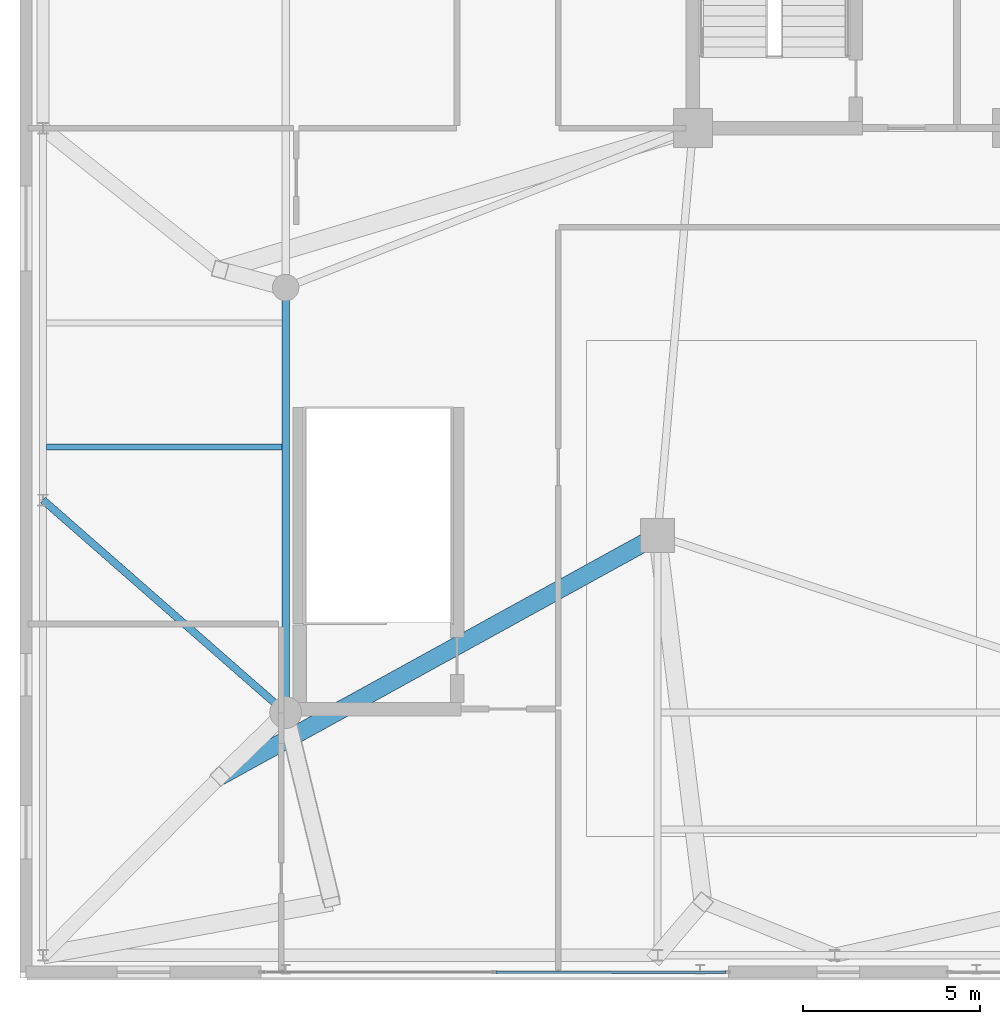
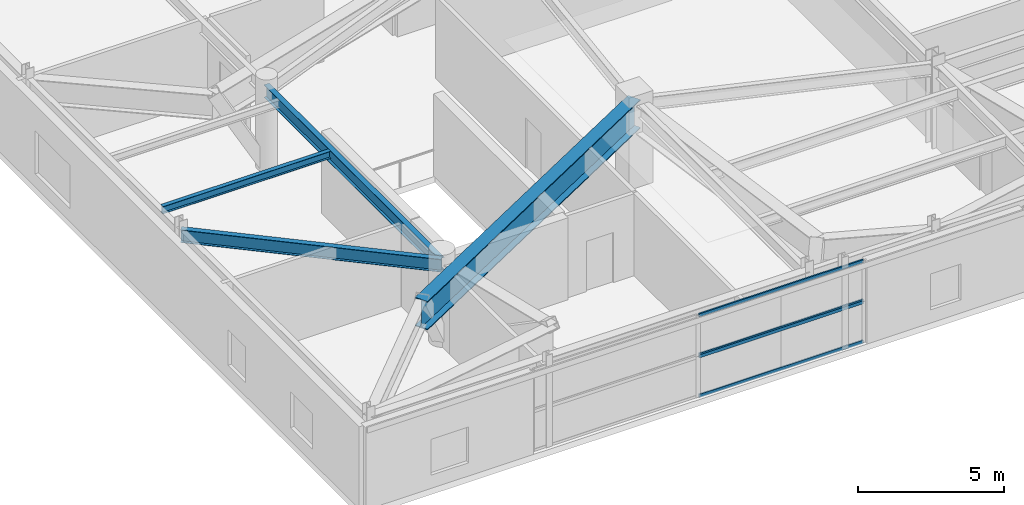
# One storey, part 8 of 27: 4 beams, 4 members, 2 elements without a shape of their own.
"""IFC4 building model written with IfcOpenShell, lengths in metres."""

import ifcopenshell
import ifcopenshell.guid

model = None  # the IFC model being written
_history = None  # IfcOwnerHistory: only IFC2X3 demands one
_inside = {}  # id of a spatial element -> (the spatial element, [elements in it])
_under = {}  # id of a project, library or spatial element -> (it, [spatial elements below it])
_declared = {}  # id of a project -> (the project, [libraries it declares])
_typed = {}  # id of a type object -> (the type object, [elements of that type])
_made_of = {}  # id of a material, layer set ... -> (it, [elements and type objects made of it])


def new_model(schema):
    """Start an empty IFC model of exactly this schema.

    Asked for "IFC4X3", IfcOpenShell would pick the latest addendum, in which some entities
    have other attributes; the version numbers below select the first issue.
    IFC2X3 requires an IfcOwnerHistory on every rooted entity: one is made here for all.
    """
    global model, _history
    if schema == "IFC4X3":
        model = ifcopenshell.file(schema_version=(4, 3, 0, 0))
    else:
        model = ifcopenshell.file(schema=schema)
    _inside.clear()
    _under.clear()
    _declared.clear()
    _typed.clear()
    _made_of.clear()
    _history = None
    if model.schema == "IFC2X3":
        org = make("IfcOrganization", Name="unknown")
        user = make(
            "IfcPersonAndOrganization",
            ThePerson=make("IfcPerson", FamilyName="unknown"),
            TheOrganization=org,
        )
        app = make(
            "IfcApplication",
            ApplicationDeveloper=org,
            Version="unknown",
            ApplicationFullName="unknown",
            ApplicationIdentifier="unknown",
        )
        _history = make(
            "IfcOwnerHistory",
            OwningUser=user,
            OwningApplication=app,
            ChangeAction="ADDED",
            CreationDate=0,
        )
    return model


def make(cls, **values):
    """One entity of the class cls with the attributes given. An attribute that is None is left unset."""
    return model.create_entity(
        cls, **{name: value for name, value in values.items() if value is not None}
    )


def rooted(cls, **values):
    """An entity with a GlobalId (a new one), such as an element, a storey or a relation."""
    return make(cls, GlobalId=ifcopenshell.guid.new(), OwnerHistory=_history, **values)


def si_unit(unit_type, name, prefix=None):
    """IfcSIUnit, for example si_unit("LENGTHUNIT", "METRE", prefix="MILLI")."""
    return make("IfcSIUnit", UnitType=unit_type, Prefix=prefix, Name=name)


def assignment(units):
    """IfcUnitAssignment: the units of a project."""
    return None if units is None else make("IfcUnitAssignment", Units=units)


def point(xyz):
    """IfcCartesianPoint."""
    return None if xyz is None else make("IfcCartesianPoint", Coordinates=xyz)


def direction(xyz):
    """IfcDirection."""
    return None if xyz is None else make("IfcDirection", DirectionRatios=xyz)


def frame(location, z_axis=None, x_axis=None):
    """IfcAxis2Placement3D, a coordinate frame: its origin and axes. An axis left out is left unset."""
    return make(
        "IfcAxis2Placement3D",
        Location=point(location),
        Axis=direction(z_axis),
        RefDirection=direction(x_axis),
    )


def frame_2d(location, x_axis=None):
    """IfcAxis2Placement2D, a coordinate frame in the plane: its origin and x axis."""
    return make(
        "IfcAxis2Placement2D", Location=point(location), RefDirection=direction(x_axis)
    )


def origin():
    """The frame at (0, 0, 0) with its axes left unset."""
    return frame((0.0, 0.0, 0.0))


def origin_2d():
    """The frame at (0, 0) in the plane with its x axis left unset."""
    return frame_2d((0.0, 0.0))


def place(relative_to, where):
    """IfcLocalPlacement: puts the frame where relative to a parent placement (None: the world)."""
    return make(
        "IfcLocalPlacement", PlacementRelTo=relative_to, RelativePlacement=where
    )


def context(
    kind, dimensions, precision=None, world=None, true_north=None, identifier=None
):
    """IfcGeometricRepresentationContext, for example the 3D "Model" context."""
    return make(
        "IfcGeometricRepresentationContext",
        ContextIdentifier=identifier,
        ContextType=kind,
        CoordinateSpaceDimension=dimensions,
        Precision=precision,
        WorldCoordinateSystem=world,
        TrueNorth=true_north,
    )


def subcontext(parent, identifier, kind, view, scale=None):
    """IfcGeometricRepresentationSubContext, for example "Body" below "Model"."""
    return make(
        "IfcGeometricRepresentationSubContext",
        ContextIdentifier=identifier,
        ContextType=kind,
        ParentContext=parent,
        TargetScale=scale,
        TargetView=view,
    )


def project(units=None, contexts=None):
    """IfcProject with its units and contexts."""
    return rooted(
        "IfcProject",
        Name="project",
        RepresentationContexts=contexts,
        UnitsInContext=assignment(units),
    )


def spatial(cls, under=None, at=None, **own):
    """A site, building, storey or space (cls), placed at a placement, below another one or the project."""
    s = rooted(cls, ObjectPlacement=at, **own)
    if under is not None:
        _under.setdefault(under.id(), (under, []))[1].append(s)
    return s


def profile(cls, at=None, kind="AREA", **sizes):
    """A parametric profile (cls). Its sizes go by their IFC names, for example OverallWidth=200.0."""
    return make(cls, ProfileType=kind, Position=at, **sizes)


def hollow_rectangle(**sizes):
    """IfcRectangleHollowProfileDef."""
    return profile("IfcRectangleHollowProfileDef", **sizes)


def i_section(**sizes):
    """IfcIShapeProfileDef."""
    return profile("IfcIShapeProfileDef", **sizes)


def extrude(swept, where, along, depth):
    """IfcExtrudedAreaSolid: the profile swept, set in the frame where, extruded along a direction by depth."""
    return make(
        "IfcExtrudedAreaSolid",
        SweptArea=swept,
        Position=where,
        ExtrudedDirection=direction(along),
        Depth=depth,
    )


def shape(context_of_items, identifier, shape_type, items):
    """IfcShapeRepresentation: the items that make up one representation, for example the "Body"."""
    return make(
        "IfcShapeRepresentation",
        ContextOfItems=context_of_items,
        RepresentationIdentifier=identifier,
        RepresentationType=shape_type,
        Items=items,
    )


def source(mapping_origin, context_of_items, identifier, shape_type, items):
    """IfcRepresentationMap: a shape defined once, which mapped items show again and again."""
    return make(
        "IfcRepresentationMap",
        MappingOrigin=mapping_origin,
        MappedRepresentation=shape(context_of_items, identifier, shape_type, items),
    )


def transform(
    local_origin,
    x_axis=None,
    y_axis=None,
    z_axis=None,
    scale=None,
    scale2=None,
    scale3=None,
    uniform=True,
):
    """IfcCartesianTransformationOperator3D, or its non-uniform kind. x_axis, y_axis, z_axis: its Axis1, 2, 3."""
    if uniform:
        return make(
            "IfcCartesianTransformationOperator3D",
            Axis1=direction(x_axis),
            Axis2=direction(y_axis),
            LocalOrigin=point(local_origin),
            Scale=scale,
            Axis3=direction(z_axis),
        )
    return make(
        "IfcCartesianTransformationOperator3DnonUniform",
        Axis1=direction(x_axis),
        Axis2=direction(y_axis),
        LocalOrigin=point(local_origin),
        Scale=scale,
        Axis3=direction(z_axis),
        Scale2=scale2,
        Scale3=scale3,
    )


def mapped(mapping_source, mapping_target):
    """IfcMappedItem: shows the shape of a source again, moved by a transform."""
    return make(
        "IfcMappedItem", MappingSource=mapping_source, MappingTarget=mapping_target
    )


def material(Name=None, Category=None):
    """IfcMaterial."""
    return make("IfcMaterial", Name=Name, Category=Category)


def layer(
    of_material, thickness, ventilated=None, Name=None, Category=None, Priority=None
):
    """IfcMaterialLayer: one layer of a wall or slab, of a material (None: an air gap)."""
    return make(
        "IfcMaterialLayer",
        Material=of_material,
        LayerThickness=thickness,
        IsVentilated=ventilated,
        Name=Name,
        Category=Category,
        Priority=Priority,
    )


def layer_set(layers, Name=None):
    """IfcMaterialLayerSet."""
    return make("IfcMaterialLayerSet", MaterialLayers=layers, LayerSetName=Name)


def material_profile(
    of_material, cross_section, Name=None, Category=None, Priority=None
):
    """IfcMaterialProfile: a cross section and its material."""
    return make(
        "IfcMaterialProfile",
        Name=Name,
        Material=of_material,
        Profile=cross_section,
        Priority=Priority,
        Category=Category,
    )


def profile_set(profiles, Name=None, composite=None):
    """IfcMaterialProfileSet."""
    return make(
        "IfcMaterialProfileSet",
        Name=Name,
        MaterialProfiles=profiles,
        CompositeProfile=composite,
    )


def made_of(thing, what):
    """Note that an element or type object is made of a material, layer set ...; save() writes the relation."""
    if what is not None:
        _made_of.setdefault(what.id(), (what, []))[1].append(thing)
    return thing


def type_object(cls, material=None, **own):
    """A type object (cls), such as IfcWallType, which elements share."""
    return made_of(rooted(cls, **own), material)


def element(
    cls,
    number,
    at=None,
    inside=None,
    cuts=None,
    type_object=None,
    material=None,
    context=None,
    identifier="Body",
    shape_type=None,
    held_by="IfcProductDefinitionShape",
    body=None,
    shapes=None,
    **own,
):
    """One element of the class cls, such as IfcWall. Its Tag is "e" and its number.

    at: its placement. inside: the storey or other place that contains it. cuts: it is an
    opening in that element (IfcRelVoidsElement). A single representation is given by context,
    identifier, shape_type and body (its items); several are given by shapes. held_by: the class
    of the entity that holds the representations. save() writes the other relations.
    """
    e = rooted(cls, Tag="e%d" % number, ObjectPlacement=at, **own)
    if body is not None:
        shapes = [shape(context, identifier, shape_type, body)]
    if shapes is not None:
        e.Representation = make(held_by, Representations=shapes)
    if inside is not None:
        _inside.setdefault(inside.id(), (inside, []))[1].append(e)
    if cuts is not None:
        rooted(
            "IfcRelVoidsElement", RelatingBuildingElement=cuts, RelatedOpeningElement=e
        )
    if type_object is not None:
        _typed.setdefault(type_object.id(), (type_object, []))[1].append(e)
    return made_of(e, material)


def aggregate(whole, parts):
    """IfcRelAggregates: a whole, such as a stair, and the parts it consists of."""
    return rooted("IfcRelAggregates", RelatingObject=whole, RelatedObjects=parts)


def save(model, path):
    """Write the relations noted so far, then the file.

    IfcRelAggregates (storeys below a building ...), IfcRelContainedInSpatialStructure (elements
    in a storey), IfcRelDefinesByType, IfcRelAssociatesMaterial and IfcRelDeclares: one each for
    every whole, place, type object, material and project.
    """
    for whole, parts in _under.values():
        aggregate(whole, parts)
    for where, things in _inside.values():
        rooted(
            "IfcRelContainedInSpatialStructure",
            RelatedElements=things,
            RelatingStructure=where,
        )
    for kind, things in _typed.values():
        rooted("IfcRelDefinesByType", RelatedObjects=things, RelatingType=kind)
    for what, things in _made_of.values():
        rooted("IfcRelAssociatesMaterial", RelatedObjects=things, RelatingMaterial=what)
    for by, libraries in _declared.values():
        rooted("IfcRelDeclares", RelatingContext=by, RelatedDefinitions=libraries)
    model.write(path)


model = new_model("IFC4")

# Units and contexts
model_context = context("Model", 3, precision=1e-05, world=origin(), true_north=direction((0.0, 1.0)))
body_context = subcontext(model_context, "Body", "Model", "MODEL_VIEW")
ifc_project = project(units=[si_unit("LENGTHUNIT", "METRE"), si_unit("AREAUNIT", "SQUARE_METRE"), si_unit("VOLUMEUNIT", "CUBIC_METRE"), si_unit("PLANEANGLEUNIT", "RADIAN"), si_unit("MASSUNIT", "GRAM", prefix="KILO")], contexts=[model_context])

# Site, building, storey
site_placement = place(None, origin())
site = spatial("IfcSite", under=ifc_project, at=site_placement, CompositionType="ELEMENT")
building_placement = place(site_placement, origin())
building = spatial("IfcBuilding", under=site, at=building_placement, Name="Taldren Reach Tower", CompositionType="ELEMENT")
storey_placement = place(building_placement, frame((0.0, 0.0, 12.949951171875)))
storey = spatial("IfcBuildingStorey", under=building, at=storey_placement, Name="L03", CompositionType="ELEMENT", Elevation=12.949951171875)

# Beams
ifc_material_1 = material(Name="Steel Gr 350 (350PLUS)", Category="steel")
ifc_material_profile_1 = material_profile(ifc_material_1, i_section(OverallWidth=0.208984375, OverallDepth=0.532958984375, WebThickness=0.01025390625, FlangeThickness=0.015625, at=origin_2d()), Name="530UB92.4")
ifc_profile_set_1 = profile_set([ifc_material_profile_1], Name="Steel Gr 350 (350PLUS)")
beam_type_1 = type_object("IfcBeamType", Name="BM-UB530A", PredefinedType="BEAM", material=ifc_profile_set_1)
shared_shape_1 = source(origin(), body_context, "Body", "SweptSolid", [
    extrude(i_section(OverallWidth=0.208984375, OverallDepth=0.532958984375, WebThickness=0.01025390625, FlangeThickness=0.015625, at=origin_2d()), origin(), (0.0, 0.0, 1.0), 9.106201171875),
])
beam_1_placement = place(storey_placement, frame((0.64990234375, 13.5, 3.16357421875), z_axis=(0.75224111342, -0.658887932262, 0.0), x_axis=(0.658887932262, 0.75224111342, 0.0)))
element("IfcBeam", 1, at=beam_1_placement, inside=storey, type_object=beam_type_1, Name="Podium beam L03-PD18", PredefinedType="BEAM", context=body_context, shape_type="MappedRepresentation", body=[
    mapped(shared_shape_1, transform((0.0, 0.0, 0.0), scale=1.0)),
])
shared_shape_2 = source(origin(), body_context, "Body", "SweptSolid", [
    extrude(i_section(OverallWidth=0.208984375, OverallDepth=0.532958984375, WebThickness=0.01025390625, FlangeThickness=0.015625, at=origin_2d()), origin(), (0.0, 0.0, 1.0), 12.0),
])
beam_2_placement = place(storey_placement, frame((7.5, 7.5, 3.16357421875), z_axis=(0.0, 1.0, 0.0), x_axis=(-1.0, 0.0, 0.0)))
element("IfcBeam", 2, at=beam_2_placement, inside=storey, type_object=beam_type_1, Name="Podium beam L03-PD19", PredefinedType="BEAM", context=body_context, shape_type="MappedRepresentation", body=[
    mapped(shared_shape_2, transform((0.0, 0.0, 0.0), scale=1.0)),
])
ifc_material_2 = material(Name="Steel Gr 300 (300PLUS, 300 MPa)", Category="steel")
ifc_material_profile_2 = material_profile(ifc_material_2, i_section(OverallWidth=0.166015625, OverallDepth=0.306884765625, WebThickness=0.006591796875, FlangeThickness=0.01171875, at=origin_2d()), Name="310UB46.2")
ifc_profile_set_2 = profile_set([ifc_material_profile_2], Name="Steel Gr 300 (300PLUS, 300 MPa)")
beam_type_2 = type_object("IfcBeamType", Name="JS-UB310", PredefinedType="JOIST", material=ifc_profile_set_2)
shared_shape_3 = source(origin(), body_context, "Body", "SweptSolid", [
    extrude(i_section(OverallWidth=0.166015625, OverallDepth=0.306884765625, WebThickness=0.006591796875, FlangeThickness=0.01171875, at=origin_2d()), origin(), (0.0, 0.0, 1.0), 6.64111328125),
])
beam_3_placement = place(storey_placement, frame((0.75439453125, 15.0, 3.276611328125), z_axis=(1.0, 0.0, 0.0), x_axis=(0.0, 1.0, 0.0)))
element("IfcBeam", 3, at=beam_3_placement, inside=storey, type_object=beam_type_2, Name="Podium wing floor joist L03-3.1", PredefinedType="JOIST", context=body_context, shape_type="MappedRepresentation", body=[
    mapped(shared_shape_3, transform((0.0, 0.0, 0.0), scale=1.0)),
])
ifc_material_profile_3 = material_profile(ifc_material_1, i_section(OverallWidth=0.5, OverallDepth=1.199951171875, WebThickness=0.01611328125, FlangeThickness=0.0400390625, at=origin_2d()), Name="1200WB455")
ifc_profile_set_3 = profile_set([ifc_material_profile_3], Name="Steel Gr 350 (350PLUS)")
beam_type_3 = type_object("IfcBeamType", Name="BM-WB1200", PredefinedType="BEAM", material=ifc_profile_set_3)
shared_shape_4 = source(origin(), body_context, "Body", "SweptSolid", [
    extrude(i_section(OverallWidth=0.5, OverallDepth=1.199951171875, WebThickness=0.01611328125, FlangeThickness=0.0400390625, at=origin_2d()), origin(), (0.0, 0.0, 1.0), 14.098388671875),
])
beam_4_placement = place(storey_placement, frame((18.0, 12.5, 2.830078125), z_axis=(-0.875991325783, -0.482326857175, 0.0), x_axis=(0.482326857175, -0.875991325783, 0.0)))
element("IfcBeam", 4, at=beam_4_placement, inside=storey, type_object=beam_type_3, Name="Block transfer girder TG-B1-W1A on L03", PredefinedType="BEAM", context=body_context, shape_type="MappedRepresentation", body=[
    mapped(shared_shape_4, transform((0.0, 0.0, 0.0), scale=1.0)),
])

# Curtain wall, members
ifc_material_3 = material(Name="Aluminium and Low-E Glass Unitised System", Category="aluminium")
ifc_layer = layer(ifc_material_3, 0.159912109375)
ifc_layer_set = layer_set([ifc_layer], Name="Aluminium and Low-E Glass Unitised System")
curtain_wall_type = type_object("IfcCurtainWallType", Name="CW-SYS-1", PredefinedType="NOTDEFINED", material=ifc_layer_set)
curtain_wall_1_placement = place(storey_placement, origin())
curtain_wall_1 = element("IfcCurtainWall", 5, at=curtain_wall_1_placement, inside=storey, type_object=curtain_wall_type, Name="Unitised curtain wall CW1-L03-S1", PredefinedType="NOTDEFINED")
ifc_material_4 = material(Name="Anodised Aluminium 6063-T6", Category="aluminium")
ifc_material_profile_4 = material_profile(ifc_material_4, hollow_rectangle(XDim=0.06005859375, YDim=0.135009765625, WallThickness=0.00341796875, at=origin_2d()), Name="ALU-135x60x3.5RHS")
ifc_profile_set_4 = profile_set([ifc_material_profile_4], Name="Anodised Aluminium 6063-T6")
member_type = type_object("IfcMemberType", Name="CW-TRN-150", PredefinedType="USERDEFINED", material=ifc_profile_set_4)
shared_shape_5 = source(origin(), body_context, "Body", "SweptSolid", [
    extrude(hollow_rectangle(XDim=0.06005859375, YDim=0.135009765625, WallThickness=0.00341796875, at=origin_2d()), origin(), (0.0, 0.0, 1.0), 6.494873046875),
])
member_1_placement = place(storey_placement, frame((13.43505859375, 0.169921875, 0.030029296875), z_axis=(1.0, 0.0, 0.0), x_axis=(0.0, 1.0, 0.0)))
member_1 = element("IfcMember", 6, at=member_1_placement, type_object=member_type, Name="CW-1 transom 2.1", ObjectType="TRANSOM", PredefinedType="USERDEFINED", context=body_context, shape_type="MappedRepresentation", body=[
    mapped(shared_shape_5, transform((0.0, 0.0, 0.0), scale=1.0)),
])
member_2_placement = place(storey_placement, frame((13.43505859375, 0.169921875, 1.68505859375), z_axis=(1.0, 0.0, 0.0), x_axis=(0.0, 1.0, 0.0)))
member_2 = element("IfcMember", 7, at=member_2_placement, type_object=member_type, Name="CW-1 transom 2.2", ObjectType="TRANSOM", PredefinedType="USERDEFINED", context=body_context, shape_type="MappedRepresentation", body=[
    mapped(shared_shape_5, transform((0.0, 0.0, 0.0), scale=1.0)),
])
aggregate(curtain_wall_1, [member_1, member_2])

curtain_wall_2_placement = place(storey_placement, origin())
curtain_wall_2 = element("IfcCurtainWall", 8, at=curtain_wall_2_placement, inside=storey, type_object=curtain_wall_type, Name="Unitised curtain wall CW1-L03-S1-T2", PredefinedType="NOTDEFINED")
member_3_placement = place(storey_placement, frame((13.43505859375, 0.169921875, 1.7451171875), z_axis=(1.0, 0.0, 0.0), x_axis=(0.0, 1.0, 0.0)))
member_3 = element("IfcMember", 9, at=member_3_placement, type_object=member_type, Name="CW-1 transom 2.1", ObjectType="TRANSOM", PredefinedType="USERDEFINED", context=body_context, shape_type="MappedRepresentation", body=[
    mapped(shared_shape_5, transform((0.0, 0.0, 0.0), scale=1.0)),
])
member_4_placement = place(storey_placement, frame((13.43505859375, 0.169921875, 3.400146484375), z_axis=(1.0, 0.0, 0.0), x_axis=(0.0, 1.0, 0.0)))
member_4 = element("IfcMember", 10, at=member_4_placement, type_object=member_type, Name="CW-1 transom 2.2", ObjectType="TRANSOM", PredefinedType="USERDEFINED", context=body_context, shape_type="MappedRepresentation", body=[
    mapped(shared_shape_5, transform((0.0, 0.0, 0.0), scale=1.0)),
])
aggregate(curtain_wall_2, [member_3, member_4])

save(model, "model.ifc")
